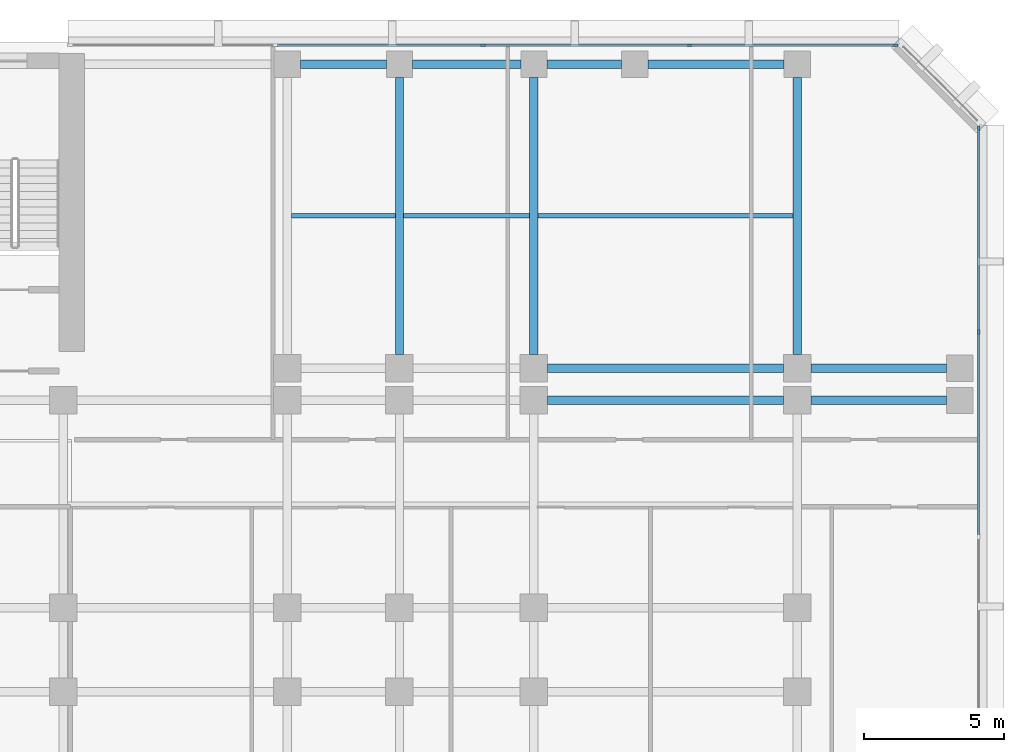
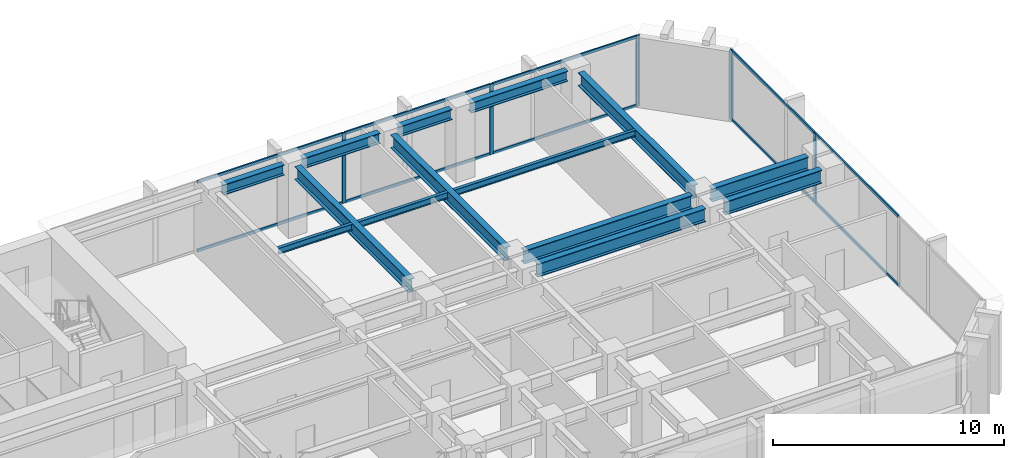
# One storey, part 5 of 13: 15 members, 14 beams, 2 elements without a shape of their own.
"""IFC4 building model written with IfcOpenShell, lengths in metres."""

from ifc_helpers import new_model, si_unit, direction, frame, origin, origin_2d, place, context, subcontext, project, spatial, rectangle, i_section, extrude, material, layer, layer_set, material_profile, profile_set, type_object, element, aggregate, save


model = new_model("IFC4")

# Units and contexts
model_context = context("Model", 3, precision=1e-05, world=origin(), true_north=direction((0.0, 1.0)))
body_context = subcontext(model_context, "Body", "Model", "MODEL_VIEW")
ifc_project = project(units=[si_unit("LENGTHUNIT", "METRE"), si_unit("AREAUNIT", "SQUARE_METRE"), si_unit("VOLUMEUNIT", "CUBIC_METRE"), si_unit("PLANEANGLEUNIT", "RADIAN"), si_unit("MASSUNIT", "GRAM", prefix="KILO")], contexts=[model_context])

# Site, building, storey
site_placement = place(None, origin())
site = spatial("IfcSite", under=ifc_project, at=site_placement, CompositionType="ELEMENT")
building_placement = place(site_placement, origin())
building = spatial("IfcBuilding", under=site, at=building_placement, Name="Kefirva Bronze Tower", CompositionType="ELEMENT")
storey_placement = place(building_placement, frame((0.0, 0.0, 62.0400390625)))
storey = spatial("IfcBuildingStorey", under=building, at=storey_placement, Name="L14", CompositionType="ELEMENT", Elevation=62.0400390625)

# Curtain wall, members
ifc_material_1 = material(Name="Bronze anodised aluminium", Category="aluminium")
ifc_layer = layer(ifc_material_1, 0.199951171875, Name="Bronze anodised aluminium")
ifc_layer_set = layer_set([ifc_layer], Name="Bronze anodised aluminium")
curtain_wall_type = type_object("IfcCurtainWallType", Name="Unitised Bronze Ribbon Curtain Wall Zone 1", PredefinedType="USERDEFINED", material=ifc_layer_set)
curtain_wall_1_placement = place(storey_placement, origin())
curtain_wall_1 = element("IfcCurtainWall", 1, at=curtain_wall_1_placement, inside=storey, type_object=curtain_wall_type, Name="L14 Curtain Wall 3", ObjectType="UNITISED CURTAIN WALL", PredefinedType="USERDEFINED")
ifc_material_profile_1 = material_profile(ifc_material_1, rectangle(XDim=0.074951171875, YDim=0.179931640625, at=origin_2d()), Name="ALU 75x180")
ifc_profile_set_1 = profile_set([ifc_material_profile_1], Name="Bronze anodised aluminium")
member_type_1 = type_object("IfcMemberType", Name="Bronze Mullion 75x180", PredefinedType="MULLION", material=ifc_profile_set_1)
member_1_placement = place(storey_placement, frame((55.8798828125, 35.6484375, 0.0), z_axis=(0.0, 0.0, 1.0), x_axis=(-1.0, 0.0, 0.0)))
member_1 = element("IfcMember", 2, at=member_1_placement, type_object=member_type_1, Name="CW-01 mullion 3", PredefinedType="MULLION", context=body_context, shape_type="SweptSolid", body=[
    extrude(rectangle(XDim=0.074951171875, YDim=0.179931640625, at=origin_2d()), origin(), (0.0, 0.0, 1.0), 3.7099609375),
])
member_2_placement = place(storey_placement, frame((55.8798828125, 42.907470703125, 0.0), z_axis=(0.0, 0.0, 1.0), x_axis=(-1.0, 0.0, 0.0)))
member_2 = element("IfcMember", 3, at=member_2_placement, type_object=member_type_1, Name="CW-01 mullion 4", PredefinedType="MULLION", context=body_context, shape_type="SweptSolid", body=[
    extrude(rectangle(XDim=0.074951171875, YDim=0.179931640625, at=origin_2d()), origin(), (0.0, 0.0, 1.0), 3.7099609375),
])

curtain_wall_2_placement = place(storey_placement, origin())
curtain_wall_2 = element("IfcCurtainWall", 4, at=curtain_wall_2_placement, inside=storey, type_object=curtain_wall_type, Name="L14 Curtain Wall 4", ObjectType="UNITISED CURTAIN WALL", PredefinedType="USERDEFINED")
member_3_placement = place(storey_placement, frame((52.907470703125, 45.8798828125, 0.0), z_axis=(0.0, 0.0, 1.0), x_axis=(0.0, -1.0, 0.0)))
member_3 = element("IfcMember", 5, at=member_3_placement, type_object=member_type_1, Name="CW-01 mullion 1", PredefinedType="MULLION", context=body_context, shape_type="SweptSolid", body=[
    extrude(rectangle(XDim=0.074951171875, YDim=0.179931640625, at=origin_2d()), origin(), (0.0, 0.0, 1.0), 3.7099609375),
])
member_4_placement = place(storey_placement, frame((45.56005859375, 45.8798828125, 0.0), z_axis=(0.0, 0.0, 1.0), x_axis=(0.0, -1.0, 0.0)))
member_4 = element("IfcMember", 6, at=member_4_placement, type_object=member_type_1, Name="CW-01 mullion 2", PredefinedType="MULLION", context=body_context, shape_type="SweptSolid", body=[
    extrude(rectangle(XDim=0.074951171875, YDim=0.179931640625, at=origin_2d()), origin(), (0.0, 0.0, 1.0), 3.7099609375),
])
member_5_placement = place(storey_placement, frame((38.175048828125, 45.8798828125, 0.0), z_axis=(0.0, 0.0, 1.0), x_axis=(0.0, -1.0, 0.0)))
member_5 = element("IfcMember", 7, at=member_5_placement, type_object=member_type_1, Name="CW-01 mullion 3", PredefinedType="MULLION", context=body_context, shape_type="SweptSolid", body=[
    extrude(rectangle(XDim=0.074951171875, YDim=0.179931640625, at=origin_2d()), origin(), (0.0, 0.0, 1.0), 3.7099609375),
])

# Member
ifc_material_profile_2 = material_profile(ifc_material_1, rectangle(XDim=0.074951171875, YDim=0.14990234375, at=origin_2d()), Name="ALU 75x150")
ifc_profile_set_2 = profile_set([ifc_material_profile_2], Name="Bronze anodised aluminium")
member_type_2 = type_object("IfcMemberType", Name="Bronze Transom 75x150", PredefinedType="USERDEFINED", material=ifc_profile_set_2)
member_6_placement = place(storey_placement, frame((55.8798828125, 28.38916015625, 0.037353515625), z_axis=(0.0, 1.0, 0.0), x_axis=(-1.0, 0.0, 0.0)))
member_6 = element("IfcMember", 8, at=member_6_placement, type_object=member_type_2, Name="CW-01 transom 2.1", ObjectType="TRANSOM", PredefinedType="USERDEFINED", context=body_context, shape_type="SweptSolid", body=[
    extrude(rectangle(XDim=0.074951171875, YDim=0.14990234375, at=origin_2d()), origin(), (0.0, 0.0, 1.0), 7.2216796875),
])

member_7_placement = place(storey_placement, frame((55.8798828125, 28.38916015625, 3.67236328125), z_axis=(0.0, 1.0, 0.0), x_axis=(-1.0, 0.0, 0.0)))
member_7 = element("IfcMember", 9, at=member_7_placement, type_object=member_type_2, Name="CW-01 transom 2.2", ObjectType="TRANSOM", PredefinedType="USERDEFINED", context=body_context, shape_type="SweptSolid", body=[
    extrude(rectangle(XDim=0.074951171875, YDim=0.14990234375, at=origin_2d()), origin(), (0.0, 0.0, 1.0), 7.2216796875),
])

member_8_placement = place(storey_placement, frame((55.8798828125, 35.685791015625, 0.037353515625), z_axis=(0.0, 1.0, 0.0), x_axis=(-1.0, 0.0, 0.0)))
member_8 = element("IfcMember", 10, at=member_8_placement, type_object=member_type_2, Name="CW-01 transom 3.1", ObjectType="TRANSOM", PredefinedType="USERDEFINED", context=body_context, shape_type="SweptSolid", body=[
    extrude(rectangle(XDim=0.074951171875, YDim=0.14990234375, at=origin_2d()), origin(), (0.0, 0.0, 1.0), 7.184326171875),
])

member_9_placement = place(storey_placement, frame((55.8798828125, 35.685791015625, 3.67236328125), z_axis=(0.0, 1.0, 0.0), x_axis=(-1.0, 0.0, 0.0)))
member_9 = element("IfcMember", 11, at=member_9_placement, type_object=member_type_2, Name="CW-01 transom 3.2", ObjectType="TRANSOM", PredefinedType="USERDEFINED", context=body_context, shape_type="SweptSolid", body=[
    extrude(rectangle(XDim=0.074951171875, YDim=0.14990234375, at=origin_2d()), origin(), (0.0, 0.0, 1.0), 7.184326171875),
])

aggregate(curtain_wall_1, [member_1, member_2, member_6, member_7, member_8, member_9])

member_10_placement = place(storey_placement, frame((52.8701171875, 45.8798828125, 0.037353515625), z_axis=(-1.0, 0.0, 0.0), x_axis=(0.0, -1.0, 0.0)))
member_10 = element("IfcMember", 12, at=member_10_placement, type_object=member_type_2, Name="CW-01 transom 1.1", ObjectType="TRANSOM", PredefinedType="USERDEFINED", context=body_context, shape_type="SweptSolid", body=[
    extrude(rectangle(XDim=0.074951171875, YDim=0.14990234375, at=origin_2d()), origin(), (0.0, 0.0, 1.0), 7.272705078125),
])

member_11_placement = place(storey_placement, frame((52.8701171875, 45.8798828125, 3.67236328125), z_axis=(-1.0, 0.0, 0.0), x_axis=(0.0, -1.0, 0.0)))
member_11 = element("IfcMember", 13, at=member_11_placement, type_object=member_type_2, Name="CW-01 transom 1.2", ObjectType="TRANSOM", PredefinedType="USERDEFINED", context=body_context, shape_type="SweptSolid", body=[
    extrude(rectangle(XDim=0.074951171875, YDim=0.14990234375, at=origin_2d()), origin(), (0.0, 0.0, 1.0), 7.272705078125),
])

member_12_placement = place(storey_placement, frame((45.5224609375, 45.8798828125, 0.037353515625), z_axis=(-1.0, 0.0, 0.0), x_axis=(0.0, -1.0, 0.0)))
member_12 = element("IfcMember", 14, at=member_12_placement, type_object=member_type_2, Name="CW-01 transom 2.1", ObjectType="TRANSOM", PredefinedType="USERDEFINED", context=body_context, shape_type="SweptSolid", body=[
    extrude(rectangle(XDim=0.074951171875, YDim=0.14990234375, at=origin_2d()), origin(), (0.0, 0.0, 1.0), 7.31005859375),
])

member_13_placement = place(storey_placement, frame((45.5224609375, 45.8798828125, 3.67236328125), z_axis=(-1.0, 0.0, 0.0), x_axis=(0.0, -1.0, 0.0)))
member_13 = element("IfcMember", 15, at=member_13_placement, type_object=member_type_2, Name="CW-01 transom 2.2", ObjectType="TRANSOM", PredefinedType="USERDEFINED", context=body_context, shape_type="SweptSolid", body=[
    extrude(rectangle(XDim=0.074951171875, YDim=0.14990234375, at=origin_2d()), origin(), (0.0, 0.0, 1.0), 7.31005859375),
])

member_14_placement = place(storey_placement, frame((38.137451171875, 45.8798828125, 0.037353515625), z_axis=(-1.0, 0.0, 0.0), x_axis=(0.0, -1.0, 0.0)))
member_14 = element("IfcMember", 16, at=member_14_placement, type_object=member_type_2, Name="CW-01 transom 3.1", ObjectType="TRANSOM", PredefinedType="USERDEFINED", context=body_context, shape_type="SweptSolid", body=[
    extrude(rectangle(XDim=0.074951171875, YDim=0.14990234375, at=origin_2d()), origin(), (0.0, 0.0, 1.0), 7.31005859375),
])

member_15_placement = place(storey_placement, frame((38.137451171875, 45.8798828125, 3.67236328125), z_axis=(-1.0, 0.0, 0.0), x_axis=(0.0, -1.0, 0.0)))
member_15 = element("IfcMember", 17, at=member_15_placement, type_object=member_type_2, Name="CW-01 transom 3.2", ObjectType="TRANSOM", PredefinedType="USERDEFINED", context=body_context, shape_type="SweptSolid", body=[
    extrude(rectangle(XDim=0.074951171875, YDim=0.14990234375, at=origin_2d()), origin(), (0.0, 0.0, 1.0), 7.31005859375),
])

aggregate(curtain_wall_2, [member_3, member_4, member_5, member_10, member_11, member_12, member_13, member_14, member_15])

# Beams
ifc_material_2 = material(Name="Steel S355", Category="steel")
ifc_material_profile_3 = material_profile(ifc_material_2, i_section(OverallWidth=0.159912109375, OverallDepth=0.330078125, WebThickness=0.007568359375, FlangeThickness=0.011474609375, at=origin_2d()), Name="IPE 330")
ifc_profile_set_3 = profile_set([ifc_material_profile_3], Name="Steel S355")
beam_type_1 = type_object("IfcBeamType", Name="Steel Floor Joist IPE 330", PredefinedType="JOIST", material=ifc_profile_set_3)
beam_1_placement = place(storey_placement, frame((31.35009765625, 39.784912109375, 3.544921875), z_axis=(1.0, 0.0, 0.0), x_axis=(0.0, 1.0, 0.0)))
element("IfcBeam", 18, at=beam_1_placement, inside=storey, type_object=beam_type_1, Name="L14 JST-L14-31-397", PredefinedType="JOIST", context=body_context, shape_type="SweptSolid", body=[
    extrude(i_section(OverallWidth=0.159912109375, OverallDepth=0.330078125, WebThickness=0.007568359375, FlangeThickness=0.011474609375, at=origin_2d()), origin(), (0.0, 0.0, 1.0), 3.699951171875),
])
beam_2_placement = place(storey_placement, frame((35.35009765625, 39.784912109375, 3.544921875), z_axis=(1.0, 0.0, 0.0), x_axis=(0.0, 1.0, 0.0)))
element("IfcBeam", 19, at=beam_2_placement, inside=storey, type_object=beam_type_1, Name="L14 JST-L14-35-397", PredefinedType="JOIST", context=body_context, shape_type="SweptSolid", body=[
    extrude(i_section(OverallWidth=0.159912109375, OverallDepth=0.330078125, WebThickness=0.007568359375, FlangeThickness=0.011474609375, at=origin_2d()), origin(), (0.0, 0.0, 1.0), 4.5),
])
beam_3_placement = place(storey_placement, frame((40.14990234375, 39.784912109375, 3.544921875), z_axis=(1.0, 0.0, 0.0), x_axis=(0.0, 1.0, 0.0)))
element("IfcBeam", 20, at=beam_3_placement, inside=storey, type_object=beam_type_1, Name="L14 JST-L14-40-397", PredefinedType="JOIST", context=body_context, shape_type="SweptSolid", body=[
    extrude(i_section(OverallWidth=0.159912109375, OverallDepth=0.330078125, WebThickness=0.007568359375, FlangeThickness=0.011474609375, at=origin_2d()), origin(), (0.0, 0.0, 1.0), 9.10009765625),
])
ifc_material_profile_4 = material_profile(ifc_material_2, i_section(OverallWidth=0.300048828125, OverallDepth=0.699951171875, WebThickness=0.01708984375, FlangeThickness=0.031982421875, at=origin_2d()), Name="HEB 700")
ifc_profile_set_4 = profile_set([ifc_material_profile_4], Name="Steel S355")
beam_type_2 = type_object("IfcBeamType", Name="Steel Girder HEB 700", PredefinedType="USERDEFINED", material=ifc_profile_set_4)
beam_4_placement = place(storey_placement, frame((40.489990234375, 33.199951171875, 3.35986328125), z_axis=(1.0, 0.0, 0.0), x_axis=(0.0, 1.0, 0.0)))
element("IfcBeam", 21, at=beam_4_placement, inside=storey, type_object=beam_type_2, Name="L14 BM-L14-EW-40-332", ObjectType="GIRDER", PredefinedType="USERDEFINED", context=body_context, shape_type="SweptSolid", body=[
    extrude(i_section(OverallWidth=0.300048828125, OverallDepth=0.699951171875, WebThickness=0.01708984375, FlangeThickness=0.031982421875, at=origin_2d()), origin(), (0.0, 0.0, 1.0), 8.419921875),
])
beam_5_placement = place(storey_placement, frame((49.889892578125, 33.199951171875, 3.35986328125), z_axis=(1.0, 0.0, 0.0), x_axis=(0.0, 1.0, 0.0)))
element("IfcBeam", 22, at=beam_5_placement, inside=storey, type_object=beam_type_2, Name="L14 BM-L14-EW-49-332", ObjectType="GIRDER", PredefinedType="USERDEFINED", context=body_context, shape_type="SweptSolid", body=[
    extrude(i_section(OverallWidth=0.300048828125, OverallDepth=0.699951171875, WebThickness=0.01708984375, FlangeThickness=0.031982421875, at=origin_2d()), origin(), (0.0, 0.0, 1.0), 4.840087890625),
])
beam_6_placement = place(storey_placement, frame((40.489990234375, 34.35009765625, 3.35986328125), z_axis=(1.0, 0.0, 0.0), x_axis=(0.0, 1.0, 0.0)))
element("IfcBeam", 23, at=beam_6_placement, inside=storey, type_object=beam_type_2, Name="L14 BM-L14-EW-40-344", ObjectType="GIRDER", PredefinedType="USERDEFINED", context=body_context, shape_type="SweptSolid", body=[
    extrude(i_section(OverallWidth=0.300048828125, OverallDepth=0.699951171875, WebThickness=0.01708984375, FlangeThickness=0.031982421875, at=origin_2d()), origin(), (0.0, 0.0, 1.0), 8.419921875),
])
beam_7_placement = place(storey_placement, frame((49.889892578125, 34.35009765625, 3.35986328125), z_axis=(1.0, 0.0, 0.0), x_axis=(0.0, 1.0, 0.0)))
element("IfcBeam", 24, at=beam_7_placement, inside=storey, type_object=beam_type_2, Name="L14 BM-L14-EW-49-344", ObjectType="GIRDER", PredefinedType="USERDEFINED", context=body_context, shape_type="SweptSolid", body=[
    extrude(i_section(OverallWidth=0.300048828125, OverallDepth=0.699951171875, WebThickness=0.01708984375, FlangeThickness=0.031982421875, at=origin_2d()), origin(), (0.0, 0.0, 1.0), 4.840087890625),
])
for number, where, z_axis, x_axis, name in (
    (25, (35.199951171875, 34.840087890625, 3.35986328125), (0.0, 1.0, 0.0), (-1.0, 0.0, 0.0), "L14 BM-L14-NS-352-34"),
    (26, (40.0, 34.840087890625, 3.35986328125), (0.0, 1.0, 0.0), (-1.0, 0.0, 0.0), "L14 BM-L14-NS-400-34"),
    (27, (49.39990234375, 34.840087890625, 3.35986328125), (0.0, 1.0, 0.0), (-1.0, 0.0, 0.0), "L14 BM-L14-NS-494-34"),
):
    element("IfcBeam", number, at=place(storey_placement, frame(where, z_axis=z_axis, x_axis=x_axis)), inside=storey, type_object=beam_type_2, Name=name, ObjectType="GIRDER", PredefinedType="USERDEFINED", context=body_context, shape_type="SweptSolid", body=[
        extrude(i_section(OverallWidth=0.300048828125, OverallDepth=0.699951171875, WebThickness=0.01708984375, FlangeThickness=0.031982421875, at=origin_2d()), origin(), (0.0, 0.0, 1.0), 9.889892578125),
    ])
ifc_material_profile_5 = material_profile(ifc_material_2, i_section(OverallWidth=0.300048828125, OverallDepth=0.550048828125, WebThickness=0.014892578125, FlangeThickness=0.029052734375, at=origin_2d()), Name="HEB 550")
ifc_profile_set_5 = profile_set([ifc_material_profile_5], Name="Steel S355")
beam_type_3 = type_object("IfcBeamType", Name="Steel Spandrel HEB 550 Ext", PredefinedType="SPANDREL", material=ifc_profile_set_5)
beam_8_placement = place(storey_placement, frame((31.669921875, 45.199951171875, 3.43505859375), z_axis=(1.0, 0.0, 0.0), x_axis=(0.0, 1.0, 0.0)))
element("IfcBeam", 28, at=beam_8_placement, inside=storey, type_object=beam_type_3, Name="L14 BM-L14-EW-31-452", PredefinedType="SPANDREL", context=body_context, shape_type="SweptSolid", body=[
    extrude(i_section(OverallWidth=0.300048828125, OverallDepth=0.550048828125, WebThickness=0.014892578125, FlangeThickness=0.029052734375, at=origin_2d()), origin(), (0.0, 0.0, 1.0), 3.06005859375),
])
beam_9_placement = place(storey_placement, frame((35.669921875, 45.199951171875, 3.43505859375), z_axis=(1.0, 0.0, 0.0), x_axis=(0.0, 1.0, 0.0)))
element("IfcBeam", 29, at=beam_9_placement, inside=storey, type_object=beam_type_3, Name="L14 BM-L14-EW-35-452", PredefinedType="SPANDREL", context=body_context, shape_type="SweptSolid", body=[
    extrude(i_section(OverallWidth=0.300048828125, OverallDepth=0.550048828125, WebThickness=0.014892578125, FlangeThickness=0.029052734375, at=origin_2d()), origin(), (0.0, 0.0, 1.0), 3.860107421875),
])
beam_10_placement = place(storey_placement, frame((40.469970703125, 45.199951171875, 3.43505859375), z_axis=(1.0, 0.0, 0.0), x_axis=(0.0, 1.0, 0.0)))
element("IfcBeam", 30, at=beam_10_placement, inside=storey, type_object=beam_type_3, Name="L14 BM-L14-EW-40-452", PredefinedType="SPANDREL", context=body_context, shape_type="SweptSolid", body=[
    extrude(i_section(OverallWidth=0.300048828125, OverallDepth=0.550048828125, WebThickness=0.014892578125, FlangeThickness=0.029052734375, at=origin_2d()), origin(), (0.0, 0.0, 1.0), 2.659912109375),
])
beam_11_placement = place(storey_placement, frame((44.070068359375, 45.199951171875, 3.43505859375), z_axis=(1.0, 0.0, 0.0), x_axis=(0.0, 1.0, 0.0)))
element("IfcBeam", 31, at=beam_11_placement, inside=storey, type_object=beam_type_3, Name="L14 BM-L14-EW-43-452", PredefinedType="SPANDREL", context=body_context, shape_type="SweptSolid", body=[
    extrude(i_section(OverallWidth=0.300048828125, OverallDepth=0.550048828125, WebThickness=0.014892578125, FlangeThickness=0.029052734375, at=origin_2d()), origin(), (0.0, 0.0, 1.0), 4.85986328125),
])

save(model, "model.ifc")
